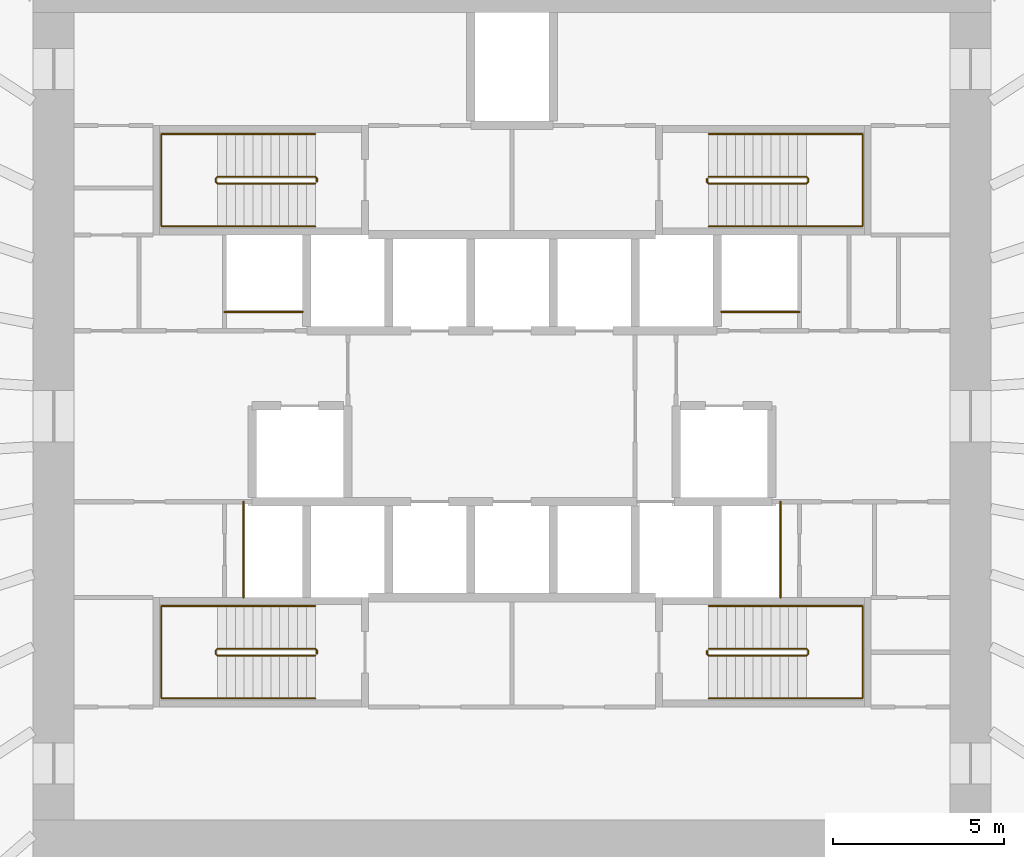
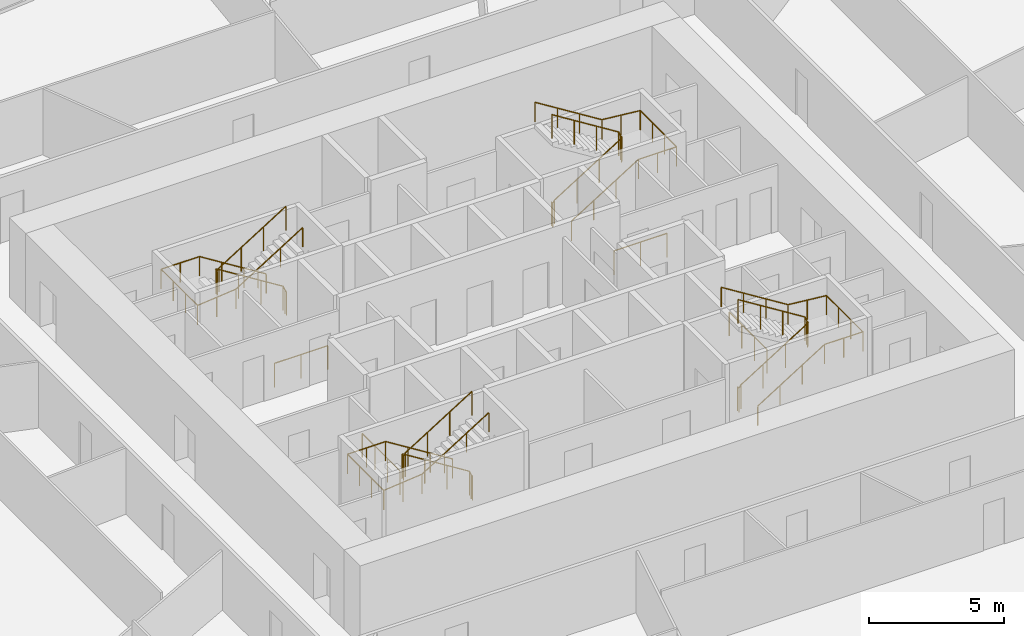
# One storey, part 10 of 10: 12 railings.
"""IFC4 building model written with IfcOpenShell, lengths in metres."""

from ifc_helpers import new_model, si_unit, direction, frame, origin, origin_2d, place, context, subcontext, project, spatial, circle, extrude, source, transform, mapped, material, type_object, element, save


model = new_model("IFC4")

# Units and contexts
model_context = context("Model", 3, precision=1e-05, world=origin(), true_north=direction((0.0, 1.0)))
body_context = subcontext(model_context, "Body", "Model", "MODEL_VIEW")
ifc_project = project(units=[si_unit("LENGTHUNIT", "METRE"), si_unit("AREAUNIT", "SQUARE_METRE"), si_unit("VOLUMEUNIT", "CUBIC_METRE"), si_unit("PLANEANGLEUNIT", "RADIAN"), si_unit("MASSUNIT", "GRAM", prefix="KILO")], contexts=[model_context])

# Site, building, storey
site_placement = place(None, origin())
site = spatial("IfcSite", under=ifc_project, at=site_placement, CompositionType="ELEMENT")
building_placement = place(site_placement, origin())
building = spatial("IfcBuilding", under=site, at=building_placement, Name="Embergate Tower", CompositionType="ELEMENT")
storey_placement = place(building_placement, frame((0.0, 0.0, 121.10009765625)))
storey = spatial("IfcBuildingStorey", under=building, at=storey_placement, Name="L26", CompositionType="ELEMENT", Elevation=121.10009765625)

# Railings
ifc_material_1 = material(Name="Stair handrail 900")
railing_type_1 = type_object("IfcRailingType", Name="Stair handrail 900", PredefinedType="HANDRAIL", material=ifc_material_1)
shared_shape_1 = source(origin(), body_context, "Body", "SweptSolid", [
    extrude(circle(Radius=0.02392578125, at=origin_2d()), frame((0.0, 0.0, 0.8759765625), z_axis=(-0.847994237388, 0.0, 0.530005446535), x_axis=(0.0, -1.0, 0.0)), (0.0, 0.0, 1.0), 3.372802734375),
    extrude(circle(Radius=0.02392578125, at=origin_2d()), frame((-2.860107421875, 0.0, 2.66357421875), z_axis=(-1.0, 0.0, 0.0), x_axis=(0.0, -1.0, 0.0)), (0.0, 0.0, 1.0), 1.639892578125),
    extrude(circle(Radius=0.02392578125, at=origin_2d()), frame((-4.5, 0.0, 2.66357421875), z_axis=(0.0, -1.0, 0.0), x_axis=(1.0, 0.0, 0.0)), (0.0, 0.0, 1.0), 2.699951171875),
    extrude(circle(Radius=0.02392578125, at=origin_2d()), frame((-4.5, -2.699951171875, 2.66357421875), z_axis=(0.995134983717, 0.0, 0.098520881967), x_axis=(0.0, 1.0, 0.0)), (0.0, 0.0, 1.0), 1.64794921875),
    extrude(circle(Radius=0.02392578125, at=origin_2d()), frame((-2.860107421875, -2.699951171875, 2.82568359375), z_axis=(0.847994237388, 0.0, 0.530005446535), x_axis=(0.0, 1.0, 0.0)), (0.0, 0.0, 1.0), 3.372802734375),
    extrude(circle(Radius=0.02099609375, at=origin_2d()), origin(), (0.0, 0.0, 1.0), 0.851806640625),
    extrude(circle(Radius=0.02099609375, at=origin_2d()), frame((-0.953369140625, 0.0, 0.595947265625)), (0.0, 0.0, 1.0), 0.851806640625),
    extrude(circle(Radius=0.02099609375, at=origin_2d()), frame((-1.90673828125, 0.0, 1.191650390625)), (0.0, 0.0, 1.0), 0.851806640625),
    extrude(circle(Radius=0.02099609375, at=origin_2d()), frame((-2.860107421875, 0.0, 1.78759765625)), (0.0, 0.0, 1.0), 0.851806640625),
    extrude(circle(Radius=0.02099609375, at=origin_2d()), frame((-3.68017578125, 0.0, 1.78759765625)), (0.0, 0.0, 1.0), 0.851806640625),
    extrude(circle(Radius=0.02099609375, at=origin_2d()), frame((-4.5, 0.0, 1.78759765625)), (0.0, 0.0, 1.0), 0.851806640625),
    extrude(circle(Radius=0.02099609375, at=origin_2d()), frame((-4.5, -0.89990234375, 1.78759765625)), (0.0, 0.0, 1.0), 0.851806640625),
    extrude(circle(Radius=0.02099609375, at=origin_2d()), frame((-4.5, -1.800048828125, 1.78759765625)), (0.0, 0.0, 1.0), 0.851806640625),
    extrude(circle(Radius=0.02099609375, at=origin_2d()), frame((-4.5, -2.699951171875, 1.78759765625)), (0.0, 0.0, 1.0), 0.851806640625),
    extrude(circle(Radius=0.02099609375, at=origin_2d()), frame((-3.68017578125, -2.699951171875, 1.86865234375)), (0.0, 0.0, 1.0), 0.851806640625),
    extrude(circle(Radius=0.02099609375, at=origin_2d()), frame((-2.860107421875, -2.699951171875, 1.949951171875)), (0.0, 0.0, 1.0), 0.851806640625),
    extrude(circle(Radius=0.02099609375, at=origin_2d()), frame((-1.90673828125, -2.699951171875, 2.5458984375)), (0.0, 0.0, 1.0), 0.851806640625),
    extrude(circle(Radius=0.02099609375, at=origin_2d()), frame((-0.953369140625, -2.699951171875, 3.1416015625)), (0.0, 0.0, 1.0), 0.851806640625),
    extrude(circle(Radius=0.02099609375, at=origin_2d()), frame((0.0, -2.699951171875, 3.737548828125)), (0.0, 0.0, 1.0), 0.851806640625),
])
for number, where, name in (
    (1, (-5.75, 8.25, 0.162353515625), "L26 ST1 stair handrail 1"),
    (2, (-5.75, -5.550048828125, 0.162353515625), "L26 ST3 stair handrail 1"),
):
    element("IfcRailing", number, at=place(storey_placement, frame(where)), inside=storey, type_object=railing_type_1, Name=name, PredefinedType="HANDRAIL", context=body_context, shape_type="MappedRepresentation", body=[
        mapped(shared_shape_1, transform((0.0, 0.0, 0.0))),
    ])
ifc_material_2 = material(Name="Stair guard 1100")
railing_type_2 = type_object("IfcRailingType", Name="Stair guard 1100", PredefinedType="GUARDRAIL", material=ifc_material_2)
shared_shape_2 = source(origin(), body_context, "Body", "SweptSolid", [
    extrude(circle(Radius=0.02392578125, at=origin_2d()), frame((0.0, 0.0, 1.076171875), z_axis=(0.0, 1.0, 0.0), x_axis=(-1.0, 0.0, 0.0)), (0.0, 0.0, 1.0), 0.099853515625),
    extrude(circle(Radius=0.02392578125, at=origin_2d()), frame((0.0, 0.099853515625, 1.076171875), z_axis=(-0.282583949758, 0.282583949758, 0.916674763849), x_axis=(-0.707106781187, -0.707106781187, 0.0)), (0.0, 0.0, 1.0), 0.177001953125),
    extrude(circle(Radius=0.02392578125, at=origin_2d()), frame((-0.050048828125, 0.14990234375, 1.23828125), z_axis=(-0.847994237388, 0.0, 0.530005446535), x_axis=(0.0, -1.0, 0.0)), (0.0, 0.0, 1.0), 3.372802734375),
    extrude(circle(Radius=0.02392578125, at=origin_2d()), frame((-2.91015625, 0.14990234375, 3.02587890625), z_axis=(-0.705375805398, -0.708833529934, 0.0), x_axis=(0.708833529934, -0.705375805398, 0.0)), (0.0, 0.0, 1.0), 0.070556640625),
    extrude(circle(Radius=0.02392578125, at=origin_2d()), frame((-2.9599609375, 0.099853515625, 3.02587890625), z_axis=(0.0, -1.0, 0.0), x_axis=(1.0, 0.0, 0.0)), (0.0, 0.0, 1.0), 0.099853515625),
    extrude(circle(Radius=0.02392578125, at=origin_2d()), frame((-2.9599609375, 0.0, 3.02587890625), z_axis=(0.281314826061, -0.282693820306, 0.917031173188), x_axis=(0.708833529934, 0.705375805398, 0.0)), (0.0, 0.0, 1.0), 0.177001953125),
    extrude(circle(Radius=0.02392578125, at=origin_2d()), frame((-2.91015625, -0.050048828125, 3.1884765625), z_axis=(0.847994237388, 0.0, 0.530005446535), x_axis=(0.0, 1.0, 0.0)), (0.0, 0.0, 1.0), 3.372802734375),
    extrude(circle(Radius=0.02099609375, at=origin_2d()), origin(), (0.0, 0.0, 1.0), 1.052001953125),
    extrude(circle(Radius=0.02099609375, at=origin_2d()), frame((0.0, 0.099853515625, 0.0)), (0.0, 0.0, 1.0), 1.052001953125),
    extrude(circle(Radius=0.02099609375, at=origin_2d()), frame((-0.050048828125, 0.14990234375, 0.162353515625)), (0.0, 0.0, 1.0), 1.052001953125),
    extrude(circle(Radius=0.02099609375, at=origin_2d()), frame((-1.00341796875, 0.14990234375, 0.75830078125)), (0.0, 0.0, 1.0), 1.052001953125),
    extrude(circle(Radius=0.02099609375, at=origin_2d()), frame((-1.956787109375, 0.14990234375, 1.35400390625)), (0.0, 0.0, 1.0), 1.052001953125),
    extrude(circle(Radius=0.02099609375, at=origin_2d()), frame((-2.91015625, 0.14990234375, 1.949951171875)), (0.0, 0.0, 1.0), 1.052001953125),
    extrude(circle(Radius=0.02099609375, at=origin_2d()), frame((-2.9599609375, 0.099853515625, 1.949951171875)), (0.0, 0.0, 1.0), 1.052001953125),
    extrude(circle(Radius=0.02099609375, at=origin_2d()), frame((-2.9599609375, 0.0, 1.949951171875)), (0.0, 0.0, 1.0), 1.052001953125),
    extrude(circle(Radius=0.02099609375, at=origin_2d()), frame((-2.91015625, -0.050048828125, 2.1123046875)), (0.0, 0.0, 1.0), 1.052001953125),
    extrude(circle(Radius=0.02099609375, at=origin_2d()), frame((-1.956787109375, -0.050048828125, 2.708251953125)), (0.0, 0.0, 1.0), 1.052001953125),
    extrude(circle(Radius=0.02099609375, at=origin_2d()), frame((-1.00341796875, -0.050048828125, 3.303955078125)), (0.0, 0.0, 1.0), 1.052001953125),
    extrude(circle(Radius=0.02099609375, at=origin_2d()), frame((-0.050048828125, -0.050048828125, 3.89990234375)), (0.0, 0.0, 1.0), 1.052001953125),
])
for number, where, name in (
    (3, (-5.699951171875, 6.85009765625, 0.0), "L26 ST1 stair guard 1"),
    (4, (-5.699951171875, -6.949951171875, 0.0), "L26 ST3 stair guard 1"),
):
    element("IfcRailing", number, at=place(storey_placement, frame(where)), inside=storey, type_object=railing_type_2, Name=name, PredefinedType="GUARDRAIL", context=body_context, shape_type="MappedRepresentation", body=[
        mapped(shared_shape_2, transform((0.0, 0.0, 0.0))),
    ])
shared_shape_3 = source(origin(), body_context, "Body", "SweptSolid", [
    extrude(circle(Radius=0.02392578125, at=origin_2d()), frame((0.0, 0.0, 0.8759765625), z_axis=(0.847994237388, 0.0, 0.530005446535), x_axis=(0.0, 1.0, 0.0)), (0.0, 0.0, 1.0), 3.372802734375),
    extrude(circle(Radius=0.02392578125, at=origin_2d()), frame((2.860107421875, 0.0, 2.66357421875), z_axis=(1.0, 0.0, 0.0), x_axis=(0.0, 1.0, 0.0)), (0.0, 0.0, 1.0), 1.639892578125),
    extrude(circle(Radius=0.02392578125, at=origin_2d()), frame((4.5, 0.0, 2.66357421875), z_axis=(0.0, 1.0, 0.0), x_axis=(-1.0, 0.0, 0.0)), (0.0, 0.0, 1.0), 2.699951171875),
    extrude(circle(Radius=0.02392578125, at=origin_2d()), frame((4.5, 2.699951171875, 2.66357421875), z_axis=(-0.995134983717, 0.0, 0.098520881967), x_axis=(0.0, -1.0, 0.0)), (0.0, 0.0, 1.0), 1.64794921875),
    extrude(circle(Radius=0.02392578125, at=origin_2d()), frame((2.860107421875, 2.699951171875, 2.82568359375), z_axis=(-0.847994237388, 0.0, 0.530005446535), x_axis=(0.0, -1.0, 0.0)), (0.0, 0.0, 1.0), 3.372802734375),
    extrude(circle(Radius=0.02099609375, at=origin_2d()), origin(), (0.0, 0.0, 1.0), 0.851806640625),
    extrude(circle(Radius=0.02099609375, at=origin_2d()), frame((0.953369140625, 0.0, 0.595947265625)), (0.0, 0.0, 1.0), 0.851806640625),
    extrude(circle(Radius=0.02099609375, at=origin_2d()), frame((1.90673828125, 0.0, 1.191650390625)), (0.0, 0.0, 1.0), 0.851806640625),
    extrude(circle(Radius=0.02099609375, at=origin_2d()), frame((2.860107421875, 0.0, 1.78759765625)), (0.0, 0.0, 1.0), 0.851806640625),
    extrude(circle(Radius=0.02099609375, at=origin_2d()), frame((3.68017578125, 0.0, 1.78759765625)), (0.0, 0.0, 1.0), 0.851806640625),
    extrude(circle(Radius=0.02099609375, at=origin_2d()), frame((4.5, 0.0, 1.78759765625)), (0.0, 0.0, 1.0), 0.851806640625),
    extrude(circle(Radius=0.02099609375, at=origin_2d()), frame((4.5, 0.89990234375, 1.78759765625)), (0.0, 0.0, 1.0), 0.851806640625),
    extrude(circle(Radius=0.02099609375, at=origin_2d()), frame((4.5, 1.800048828125, 1.78759765625)), (0.0, 0.0, 1.0), 0.851806640625),
    extrude(circle(Radius=0.02099609375, at=origin_2d()), frame((4.5, 2.699951171875, 1.78759765625)), (0.0, 0.0, 1.0), 0.851806640625),
    extrude(circle(Radius=0.02099609375, at=origin_2d()), frame((3.68017578125, 2.699951171875, 1.86865234375)), (0.0, 0.0, 1.0), 0.851806640625),
    extrude(circle(Radius=0.02099609375, at=origin_2d()), frame((2.860107421875, 2.699951171875, 1.949951171875)), (0.0, 0.0, 1.0), 0.851806640625),
    extrude(circle(Radius=0.02099609375, at=origin_2d()), frame((1.90673828125, 2.699951171875, 2.5458984375)), (0.0, 0.0, 1.0), 0.851806640625),
    extrude(circle(Radius=0.02099609375, at=origin_2d()), frame((0.953369140625, 2.699951171875, 3.1416015625)), (0.0, 0.0, 1.0), 0.851806640625),
    extrude(circle(Radius=0.02099609375, at=origin_2d()), frame((0.0, 2.699951171875, 3.737548828125)), (0.0, 0.0, 1.0), 0.851806640625),
])
for number, where, name in (
    (5, (5.75, 5.550048828125, 0.162353515625), "L26 ST2 stair handrail 1"),
    (6, (5.75, -8.25, 0.162353515625), "L26 ST4 stair handrail 1"),
):
    element("IfcRailing", number, at=place(storey_placement, frame(where)), inside=storey, type_object=railing_type_1, Name=name, PredefinedType="HANDRAIL", context=body_context, shape_type="MappedRepresentation", body=[
        mapped(shared_shape_3, transform((0.0, 0.0, 0.0))),
    ])
shared_shape_4 = source(origin(), body_context, "Body", "SweptSolid", [
    extrude(circle(Radius=0.02392578125, at=origin_2d()), frame((0.0, 0.0, 1.076171875), z_axis=(0.0, -1.0, 0.0), x_axis=(1.0, 0.0, 0.0)), (0.0, 0.0, 1.0), 0.099853515625),
    extrude(circle(Radius=0.02392578125, at=origin_2d()), frame((0.0, -0.099853515625, 1.076171875), z_axis=(0.282583949758, -0.282583949758, 0.916674763849), x_axis=(0.707106781187, 0.707106781187, 0.0)), (0.0, 0.0, 1.0), 0.177001953125),
    extrude(circle(Radius=0.02392578125, at=origin_2d()), frame((0.050048828125, -0.14990234375, 1.23828125), z_axis=(0.847994237388, 0.0, 0.530005446535), x_axis=(0.0, 1.0, 0.0)), (0.0, 0.0, 1.0), 3.372802734375),
    extrude(circle(Radius=0.02392578125, at=origin_2d()), frame((2.91015625, -0.14990234375, 3.02587890625), z_axis=(0.705375805398, 0.708833529934, 0.0), x_axis=(-0.708833529934, 0.705375805398, 0.0)), (0.0, 0.0, 1.0), 0.070556640625),
    extrude(circle(Radius=0.02392578125, at=origin_2d()), frame((2.9599609375, -0.099853515625, 3.02587890625), z_axis=(0.0, 1.0, 0.0), x_axis=(-1.0, 0.0, 0.0)), (0.0, 0.0, 1.0), 0.099853515625),
    extrude(circle(Radius=0.02392578125, at=origin_2d()), frame((2.9599609375, 0.0, 3.02587890625), z_axis=(-0.281314826061, 0.282693820306, 0.917031173188), x_axis=(-0.708833529934, -0.705375805398, 0.0)), (0.0, 0.0, 1.0), 0.177001953125),
    extrude(circle(Radius=0.02392578125, at=origin_2d()), frame((2.91015625, 0.050048828125, 3.1884765625), z_axis=(-0.847994237388, 0.0, 0.530005446535), x_axis=(0.0, -1.0, 0.0)), (0.0, 0.0, 1.0), 3.372802734375),
    extrude(circle(Radius=0.02099609375, at=origin_2d()), origin(), (0.0, 0.0, 1.0), 1.052001953125),
    extrude(circle(Radius=0.02099609375, at=origin_2d()), frame((0.0, -0.099853515625, 0.0)), (0.0, 0.0, 1.0), 1.052001953125),
    extrude(circle(Radius=0.02099609375, at=origin_2d()), frame((0.050048828125, -0.14990234375, 0.162353515625)), (0.0, 0.0, 1.0), 1.052001953125),
    extrude(circle(Radius=0.02099609375, at=origin_2d()), frame((1.00341796875, -0.14990234375, 0.75830078125)), (0.0, 0.0, 1.0), 1.052001953125),
    extrude(circle(Radius=0.02099609375, at=origin_2d()), frame((1.956787109375, -0.14990234375, 1.35400390625)), (0.0, 0.0, 1.0), 1.052001953125),
    extrude(circle(Radius=0.02099609375, at=origin_2d()), frame((2.91015625, -0.14990234375, 1.949951171875)), (0.0, 0.0, 1.0), 1.052001953125),
    extrude(circle(Radius=0.02099609375, at=origin_2d()), frame((2.9599609375, -0.099853515625, 1.949951171875)), (0.0, 0.0, 1.0), 1.052001953125),
    extrude(circle(Radius=0.02099609375, at=origin_2d()), frame((2.9599609375, 0.0, 1.949951171875)), (0.0, 0.0, 1.0), 1.052001953125),
    extrude(circle(Radius=0.02099609375, at=origin_2d()), frame((2.91015625, 0.050048828125, 2.1123046875)), (0.0, 0.0, 1.0), 1.052001953125),
    extrude(circle(Radius=0.02099609375, at=origin_2d()), frame((1.956787109375, 0.050048828125, 2.708251953125)), (0.0, 0.0, 1.0), 1.052001953125),
    extrude(circle(Radius=0.02099609375, at=origin_2d()), frame((1.00341796875, 0.050048828125, 3.303955078125)), (0.0, 0.0, 1.0), 1.052001953125),
    extrude(circle(Radius=0.02099609375, at=origin_2d()), frame((0.050048828125, 0.050048828125, 3.89990234375)), (0.0, 0.0, 1.0), 1.052001953125),
])
for number, where, name in (
    (7, (5.699951171875, 6.949951171875, 0.0), "L26 ST2 stair guard 1"),
    (8, (5.699951171875, -6.85009765625, 0.0), "L26 ST4 stair guard 1"),
):
    element("IfcRailing", number, at=place(storey_placement, frame(where)), inside=storey, type_object=railing_type_2, Name=name, PredefinedType="GUARDRAIL", context=body_context, shape_type="MappedRepresentation", body=[
        mapped(shared_shape_4, transform((0.0, 0.0, 0.0))),
    ])
ifc_material_3 = material(Name="Opening guard 1100")
railing_type_3 = type_object("IfcRailingType", Name="Opening guard 1100", PredefinedType="GUARDRAIL", material=ifc_material_3)
shared_shape_5 = source(origin(), body_context, "Body", "SweptSolid", [
    extrude(circle(Radius=0.02392578125, at=origin_2d()), frame((0.0, 0.0, 1.076171875), z_axis=(1.0, 0.0, 0.0), x_axis=(0.0, 1.0, 0.0)), (0.0, 0.0, 1.0), 2.27490234375),
    extrude(circle(Radius=0.02099609375, at=origin_2d()), origin(), (0.0, 0.0, 1.0), 1.052001953125),
    extrude(circle(Radius=0.02099609375, at=origin_2d()), frame((1.137451171875, 0.0, 0.0)), (0.0, 0.0, 1.0), 1.052001953125),
    extrude(circle(Radius=0.02099609375, at=origin_2d()), frame((2.27490234375, 0.0, 0.0)), (0.0, 0.0, 1.0), 1.052001953125),
])
for number, where, name in (
    (9, (-8.39990234375, 3.050048828125, 0.0), "Riser opening guard"),
    (10, (6.125, 3.050048828125, 0.0), "Riser opening guard"),
):
    element("IfcRailing", number, at=place(storey_placement, frame(where)), inside=storey, type_object=railing_type_3, Name=name, PredefinedType="GUARDRAIL", context=body_context, shape_type="MappedRepresentation", body=[
        mapped(shared_shape_5, transform((0.0, 0.0, 0.0))),
    ])
shared_shape_6 = source(origin(), body_context, "Body", "SweptSolid", [
    extrude(circle(Radius=0.02392578125, at=origin_2d()), frame((0.0, 0.0, 1.076171875), z_axis=(0.0, 1.0, 0.0), x_axis=(-1.0, 0.0, 0.0)), (0.0, 0.0, 1.0), 2.800048828125),
    extrude(circle(Radius=0.02099609375, at=origin_2d()), origin(), (0.0, 0.0, 1.0), 1.052001953125),
    extrude(circle(Radius=0.02099609375, at=origin_2d()), frame((0.0, 0.933349609375, 0.0)), (0.0, 0.0, 1.0), 1.052001953125),
    extrude(circle(Radius=0.02099609375, at=origin_2d()), frame((0.0, 1.86669921875, 0.0)), (0.0, 0.0, 1.0), 1.052001953125),
    extrude(circle(Radius=0.02099609375, at=origin_2d()), frame((0.0, 2.800048828125, 0.0)), (0.0, 0.0, 1.0), 1.052001953125),
])
for number, where, name in (
    (11, (-7.85009765625, -5.300048828125, 0.0), "Riser opening guard"),
    (12, (7.85009765625, -5.300048828125, 0.0), "Riser opening guard"),
):
    element("IfcRailing", number, at=place(storey_placement, frame(where)), inside=storey, type_object=railing_type_3, Name=name, PredefinedType="GUARDRAIL", context=body_context, shape_type="MappedRepresentation", body=[
        mapped(shared_shape_6, transform((0.0, 0.0, 0.0))),
    ])

save(model, "model.ifc")
